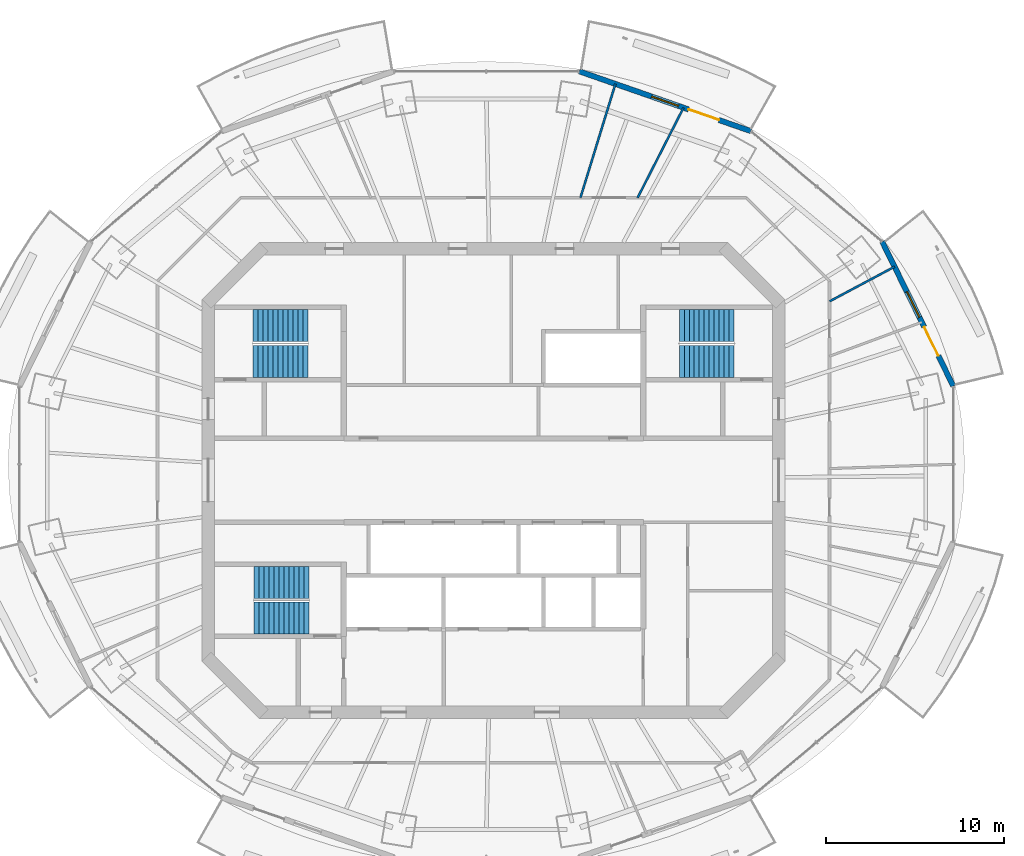
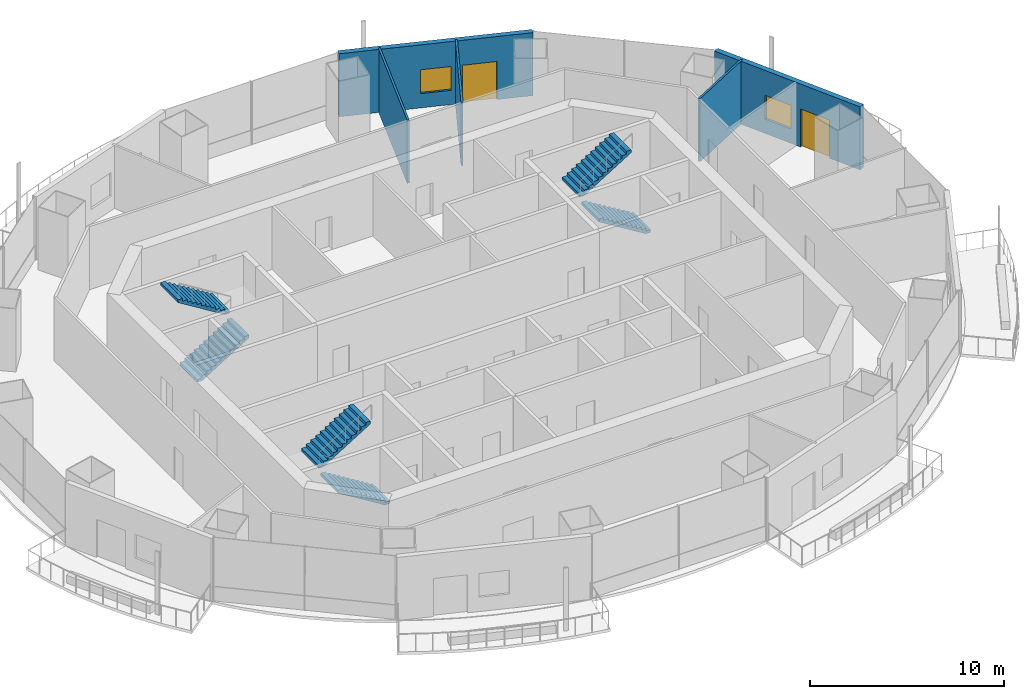
# One storey, part 11 of 16: 6 stair flights, 5 walls, 2 doors, 2 windows, 4 openings, 3 elements without a shape of their own.
"""IFC4 building model written with IfcOpenShell, lengths in metres."""

from ifc_helpers import new_model, si_unit, direction, frame, frame_2d, origin, place, context, subcontext, project, spatial, polyline, rectangle, outline, extrude, material, layer, layer_set, type_object, element, fill, aggregate, save


model = new_model("IFC4")

# Units and contexts
model_context = context("Model", 3, precision=1e-05, world=origin(), true_north=direction((0.0, 1.0)))
body_context = subcontext(model_context, "Body", "Model", "MODEL_VIEW")
ifc_project = project(units=[si_unit("LENGTHUNIT", "METRE"), si_unit("AREAUNIT", "SQUARE_METRE"), si_unit("VOLUMEUNIT", "CUBIC_METRE"), si_unit("PLANEANGLEUNIT", "RADIAN"), si_unit("MASSUNIT", "GRAM", prefix="KILO")], contexts=[model_context])

# Site, building, storey
site_placement = place(None, origin())
site = spatial("IfcSite", under=ifc_project, at=site_placement, CompositionType="ELEMENT")
building_placement = place(site_placement, origin())
building = spatial("IfcBuilding", under=site, at=building_placement, Name="Marenthal Gate Tower", CompositionType="ELEMENT")
storey_placement = place(building_placement, frame((0.0, 0.0, 346.75)))
storey = spatial("IfcBuildingStorey", under=building, at=storey_placement, Name="L78", CompositionType="ELEMENT", Elevation=346.75)

# Walls
ifc_material_1 = material(Name="Gypsum board on steel studs", Category="steel")
ifc_layer_1 = layer(ifc_material_1, 0.1201171875)
ifc_layer_set_1 = layer_set([ifc_layer_1], Name="Partition 120")
wall_type_1 = type_object("IfcWallType", Name="Partition 120", PredefinedType="PARTITIONING", material=ifc_layer_set_1)
wall_1_placement = place(storey_placement, frame((4.8740234375, 15.85009765625, 0.0), z_axis=(0.0, 0.0, 1.0), x_axis=(0.293957481335, 0.955818496979, 0.0)))
element("IfcWall", 1, at=wall_1_placement, inside=storey, type_object=wall_type_1, Name="Partition wall 59", PredefinedType="PARTITIONING", context=body_context, shape_type="SweptSolid", body=[
    extrude(rectangle(XDim=6.682373046875, YDim=0.1201171875, at=frame_2d((3.34130859375, 0.0))), origin(), (0.0, 0.0, 1.0), 3.969970703125),
])
wall_2_placement = place(storey_placement, frame((8.082763671875, 15.85009765625, 0.0), z_axis=(0.0, 0.0, 1.0), x_axis=(0.454290570005, 0.890853567094, 0.0)))
element("IfcWall", 2, at=wall_2_placement, inside=storey, type_object=wall_type_1, Name="Partition wall 61", PredefinedType="PARTITIONING", context=body_context, shape_type="SweptSolid", body=[
    extrude(rectangle(XDim=5.674072265625, YDim=0.1201171875, at=frame_2d((2.8369140625, 0.0))), origin(), (0.0, 0.0, 1.0), 3.969970703125),
])
wall_3_placement = place(storey_placement, frame((18.85009765625, 10.040283203125, 0.0), z_axis=(0.0, 0.0, 1.0), x_axis=(0.882609576654, 0.470106727454, 0.0)))
element("IfcWall", 3, at=wall_3_placement, inside=storey, type_object=wall_type_1, Name="Partition wall 70", PredefinedType="PARTITIONING", context=body_context, shape_type="SweptSolid", body=[
    extrude(rectangle(XDim=4.13232421875, YDim=0.1201171875, at=frame_2d((2.066162109375, 0.0))), origin(), (0.0, 0.0, 1.0), 3.969970703125),
])

# Wall, openings, door, window
ifc_material_2 = material(Name="Terracotta cladding on insulated concrete-block backing", Category="masonry")
ifc_layer_2 = layer(ifc_material_2, 0.300048828125)
ifc_layer_set_2 = layer_set([ifc_layer_2], Name="Terracotta facade wall 300")
wall_type_2 = type_object("IfcWallType", Name="Terracotta facade wall 300", PredefinedType="SOLIDWALL", material=ifc_layer_set_2)
wall_4_placement = place(storey_placement, frame((25.793701171875, 5.284912109375, 0.0), z_axis=(0.0, 0.0, 1.0), x_axis=(-0.441581239579, 0.897221270842, 0.0)))
wall_4 = element("IfcWall", 4, at=wall_4_placement, inside=storey, type_object=wall_type_2, Name="Terracotta facade wall L78 bay 1", PredefinedType="SOLIDWALL", context=body_context, shape_type="SweptSolid", body=[
    extrude(rectangle(XDim=9.0302734375, YDim=0.300048828125, at=frame_2d((4.51513671875, 0.0))), origin(), (0.0, 0.0, 1.0), 3.969970703125),
])
opening_1_placement = place(wall_4_placement, frame((1.89990234375, 0.0, 0.0)))
opening_1 = element("IfcOpeningElement", 5, at=opening_1_placement, cuts=wall_4, Name="Opening BD-L78-01", PredefinedType="OPENING", context=body_context, shape_type="SweptSolid", body=[
    extrude(rectangle(XDim=1.800048828125, YDim=2.39990234375, at=frame_2d((0.89990234375, 1.199951171875))), frame((0.0, 0.16015625, 0.0), z_axis=(0.0, -1.0, 0.0), x_axis=(1.0, 0.0, 0.0)), (0.0, 0.0, 1.0), 0.320068359375),
])
opening_2_placement = place(wall_4_placement, frame((4.300048828125, 0.0, 0.89990234375)))
opening_2 = element("IfcOpeningElement", 6, at=opening_2_placement, cuts=wall_4, Name="Opening WN3-L78-01", PredefinedType="OPENING", context=body_context, shape_type="SweptSolid", body=[
    extrude(rectangle(XDim=1.60009765625, YDim=1.5, at=frame_2d((0.800048828125, 0.75))), frame((0.0, 0.16015625, 0.0), z_axis=(0.0, -1.0, 0.0), x_axis=(1.0, 0.0, 0.0)), (0.0, 0.0, 1.0), 0.320068359375),
])
ifc_material_3 = material(Name="Aluminium and glass", Category="aluminium")
door_type = type_object("IfcDoorType", Name="Balcony door 1800x2400", OperationType="DOUBLE_DOOR_SINGLE_SWING", PredefinedType="DOOR", material=ifc_material_3)
door_1_placement = place(opening_1_placement, origin())
door_1 = element("IfcDoor", 7, at=door_1_placement, inside=storey, type_object=door_type, Name="Balcony door L78 bay 1", OperationType="SINGLE_SWING_LEFT", OverallHeight=2.39990234375, OverallWidth=1.800048828125, PredefinedType="DOOR", context=body_context, shape_type="SweptSolid", body=[
    extrude(rectangle(XDim=1.800048828125, YDim=2.39990234375, at=frame_2d((0.89990234375, 1.199951171875))), frame((0.0, 0.02490234375, 0.0), z_axis=(0.0, -1.0, 0.0), x_axis=(1.0, 0.0, 0.0)), (0.0, 0.0, 1.0), 0.050048828125),
])
fill(opening_1, door_1)
ifc_material_4 = material(Name="Aluminium and glass", Category="aluminium")
window_type = type_object("IfcWindowType", Name="Window 1600x1500", PartitioningType="DOUBLE_PANEL_VERTICAL", PredefinedType="WINDOW", material=ifc_material_4)
window_1_placement = place(opening_2_placement, origin())
window_1 = element("IfcWindow", 8, at=window_1_placement, inside=storey, type_object=window_type, Name="Window L78 bay 1", OverallHeight=1.5, OverallWidth=1.60009765625, PartitioningType="SINGLE_PANEL", PredefinedType="WINDOW", context=body_context, shape_type="SweptSolid", body=[
    extrude(rectangle(XDim=1.60009765625, YDim=1.5, at=frame_2d((0.800048828125, 0.75))), frame((0.0, 0.030029296875, 0.0), z_axis=(0.0, -1.0, 0.0), x_axis=(1.0, 0.0, 0.0)), (0.0, 0.0, 1.0), 0.06005859375),
])
fill(opening_2, window_1)

wall_5_placement = place(storey_placement, frame((14.4375, 19.588134765625, 0.0), z_axis=(0.0, 0.0, 1.0), x_axis=(-0.944272378507, 0.329165118428, 0.0)))
wall_5 = element("IfcWall", 9, at=wall_5_placement, inside=storey, type_object=wall_type_2, Name="Terracotta facade wall L78 bay 3", PredefinedType="SOLIDWALL", context=body_context, shape_type="SweptSolid", body=[
    extrude(rectangle(XDim=10.1953125, YDim=0.300048828125, at=frame_2d((5.09765625, 0.0))), origin(), (0.0, 0.0, 1.0), 3.969970703125),
])
opening_3_placement = place(wall_5_placement, frame((1.89990234375, 0.0, 0.0)))
opening_3 = element("IfcOpeningElement", 10, at=opening_3_placement, cuts=wall_5, Name="Opening BD-L78-03", PredefinedType="OPENING", context=body_context, shape_type="SweptSolid", body=[
    extrude(rectangle(XDim=1.800048828125, YDim=2.39990234375, at=frame_2d((0.89990234375, 1.199951171875))), frame((0.0, 0.16015625, 0.0), z_axis=(0.0, -1.0, 0.0), x_axis=(1.0, 0.0, 0.0)), (0.0, 0.0, 1.0), 0.320068359375),
])
opening_4_placement = place(wall_5_placement, frame((4.300048828125, 0.0, 0.89990234375)))
opening_4 = element("IfcOpeningElement", 11, at=opening_4_placement, cuts=wall_5, Name="Opening WN3-L78-03", PredefinedType="OPENING", context=body_context, shape_type="SweptSolid", body=[
    extrude(rectangle(XDim=1.60009765625, YDim=1.5, at=frame_2d((0.800048828125, 0.75))), frame((0.0, 0.16015625, 0.0), z_axis=(0.0, -1.0, 0.0), x_axis=(1.0, 0.0, 0.0)), (0.0, 0.0, 1.0), 0.320068359375),
])
door_2_placement = place(opening_3_placement, origin())
door_2 = element("IfcDoor", 12, at=door_2_placement, inside=storey, type_object=door_type, Name="Balcony door L78 bay 3", OperationType="SINGLE_SWING_LEFT", OverallHeight=2.39990234375, OverallWidth=1.800048828125, PredefinedType="DOOR", context=body_context, shape_type="SweptSolid", body=[
    extrude(rectangle(XDim=1.800048828125, YDim=2.39990234375, at=frame_2d((0.89990234375, 1.199951171875))), frame((0.0, 0.02490234375, 0.0), z_axis=(0.0, -1.0, 0.0), x_axis=(1.0, 0.0, 0.0)), (0.0, 0.0, 1.0), 0.050048828125),
])
fill(opening_3, door_2)
window_2_placement = place(opening_4_placement, origin())
window_2 = element("IfcWindow", 13, at=window_2_placement, inside=storey, type_object=window_type, Name="Window L78 bay 3", OverallHeight=1.5, OverallWidth=1.60009765625, PartitioningType="SINGLE_PANEL", PredefinedType="WINDOW", context=body_context, shape_type="SweptSolid", body=[
    extrude(rectangle(XDim=1.60009765625, YDim=1.5, at=frame_2d((0.800048828125, 0.75))), frame((0.0, 0.030029296875, 0.0), z_axis=(0.0, -1.0, 0.0), x_axis=(1.0, 0.0, 0.0)), (0.0, 0.0, 1.0), 0.06005859375),
])
fill(opening_4, window_2)

# Stair, stair flights
ifc_material_5 = material(Name="Concrete 40 MPa", Category="concrete")
stair_type = type_object("IfcStairType", Name="Exit stair 1800", PredefinedType="HALF_TURN_STAIR", material=ifc_material_5)
stair_1_placement = place(storey_placement, origin())
stair_1 = element("IfcStair", 14, at=stair_1_placement, inside=storey, type_object=stair_type, Name="Stair ST1", PredefinedType="HALF_TURN_STAIR")
ifc_material_6 = material(Name="Concrete 40 MPa", Category="concrete")
stair_flight_type = type_object("IfcStairFlightType", Name="Stair flight 1800", PredefinedType="STRAIGHT", material=ifc_material_6)
stair_flight_1_placement = place(storey_placement, frame((-13.5, 6.675048828125, 0.0), z_axis=(0.0, 0.0, 1.0), x_axis=(1.0, 0.0, 0.0)))
stair_flight_1 = element("IfcStairFlight", 15, at=stair_flight_1_placement, type_object=stair_flight_type, Name="ST1 flight 1", NumberOfRisers=12, NumberOfTreads=11, PredefinedType="STRAIGHT", RiserHeight=0.172916667, TreadLength=0.28, context=body_context, shape_type="SweptSolid", body=[
    extrude(outline(polyline([(0.0, 0.0), (0.0, 0.1728515625), (0.280029296875, 0.1728515625), (0.280029296875, 0.345947265625), (0.56005859375, 0.345947265625), (0.56005859375, 0.518798828125), (0.840087890625, 0.518798828125), (0.840087890625, 0.691650390625), (1.1201171875, 0.691650390625), (1.1201171875, 0.864501953125), (1.39990234375, 0.864501953125), (1.39990234375, 1.03759765625), (1.679931640625, 1.03759765625), (1.679931640625, 1.21044921875), (1.9599609375, 1.21044921875), (1.9599609375, 1.38330078125), (2.239990234375, 1.38330078125), (2.239990234375, 1.55615234375), (2.52001953125, 1.55615234375), (2.52001953125, 1.729248046875), (2.800048828125, 1.729248046875), (2.800048828125, 1.902099609375), (3.080078125, 1.902099609375), (3.080078125, 2.074951171875), (3.080078125, 1.725830078125), (0.285400390625, 0.0), (0.0, 0.0)])), frame((0.0, 0.89990234375, 0.0), z_axis=(0.0, -1.0, 0.0), x_axis=(1.0, 0.0, 0.0)), (0.0, 0.0, 1.0), 1.800048828125),
])
stair_flight_2_placement = place(storey_placement, frame((-10.419921875, 8.675048828125, 2.074951171875), z_axis=(0.0, 0.0, 1.0), x_axis=(-1.0, 0.0, 0.0)))
stair_flight_2 = element("IfcStairFlight", 16, at=stair_flight_2_placement, type_object=stair_flight_type, Name="ST1 flight 2", NumberOfRisers=12, NumberOfTreads=11, PredefinedType="STRAIGHT", RiserHeight=0.172916667, TreadLength=0.28, context=body_context, shape_type="SweptSolid", body=[
    extrude(outline(polyline([(0.0, 0.0), (0.0, 0.1728515625), (0.280029296875, 0.1728515625), (0.280029296875, 0.345947265625), (0.56005859375, 0.345947265625), (0.56005859375, 0.518798828125), (0.840087890625, 0.518798828125), (0.840087890625, 0.691650390625), (1.1201171875, 0.691650390625), (1.1201171875, 0.864501953125), (1.39990234375, 0.864501953125), (1.39990234375, 1.03759765625), (1.679931640625, 1.03759765625), (1.679931640625, 1.21044921875), (1.9599609375, 1.21044921875), (1.9599609375, 1.38330078125), (2.239990234375, 1.38330078125), (2.239990234375, 1.55615234375), (2.52001953125, 1.55615234375), (2.52001953125, 1.729248046875), (2.800048828125, 1.729248046875), (2.800048828125, 1.902099609375), (3.080078125, 1.902099609375), (3.080078125, 2.074951171875), (3.080078125, 1.725830078125), (0.285400390625, 0.0), (0.0, 0.0)])), frame((0.0, 0.89990234375, 0.0), z_axis=(0.0, -1.0, 0.0), x_axis=(1.0, 0.0, 0.0)), (0.0, 0.0, 1.0), 1.800048828125),
])
aggregate(stair_1, [stair_flight_1, stair_flight_2])

stair_2_placement = place(storey_placement, origin())
stair_2 = element("IfcStair", 17, at=stair_2_placement, inside=storey, type_object=stair_type, Name="Stair ST2", PredefinedType="HALF_TURN_STAIR")
stair_flight_3_placement = place(storey_placement, frame((-10.35009765625, -7.72509765625, 0.0), z_axis=(0.0, 0.0, 1.0), x_axis=(-1.0, 0.0, 0.0)))
stair_flight_3 = element("IfcStairFlight", 18, at=stair_flight_3_placement, type_object=stair_flight_type, Name="ST2 flight 1", NumberOfRisers=12, NumberOfTreads=11, PredefinedType="STRAIGHT", RiserHeight=0.172916667, TreadLength=0.28, context=body_context, shape_type="SweptSolid", body=[
    extrude(outline(polyline([(0.0, 0.0), (0.0, 0.1728515625), (0.280029296875, 0.1728515625), (0.280029296875, 0.345947265625), (0.56005859375, 0.345947265625), (0.56005859375, 0.518798828125), (0.840087890625, 0.518798828125), (0.840087890625, 0.691650390625), (1.1201171875, 0.691650390625), (1.1201171875, 0.864501953125), (1.39990234375, 0.864501953125), (1.39990234375, 1.03759765625), (1.679931640625, 1.03759765625), (1.679931640625, 1.21044921875), (1.9599609375, 1.21044921875), (1.9599609375, 1.38330078125), (2.239990234375, 1.38330078125), (2.239990234375, 1.55615234375), (2.52001953125, 1.55615234375), (2.52001953125, 1.729248046875), (2.800048828125, 1.729248046875), (2.800048828125, 1.902099609375), (3.080078125, 1.902099609375), (3.080078125, 2.074951171875), (3.080078125, 1.725830078125), (0.285400390625, 0.0), (0.0, 0.0)])), frame((0.0, 0.89990234375, 0.0), z_axis=(0.0, -1.0, 0.0), x_axis=(1.0, 0.0, 0.0)), (0.0, 0.0, 1.0), 1.800048828125),
])
stair_flight_4_placement = place(storey_placement, frame((-13.429931640625, -5.72509765625, 2.074951171875), z_axis=(0.0, 0.0, 1.0), x_axis=(1.0, 0.0, 0.0)))
stair_flight_4 = element("IfcStairFlight", 19, at=stair_flight_4_placement, type_object=stair_flight_type, Name="ST2 flight 2", NumberOfRisers=12, NumberOfTreads=11, PredefinedType="STRAIGHT", RiserHeight=0.172916667, TreadLength=0.28, context=body_context, shape_type="SweptSolid", body=[
    extrude(outline(polyline([(0.0, 0.0), (0.0, 0.1728515625), (0.280029296875, 0.1728515625), (0.280029296875, 0.345947265625), (0.56005859375, 0.345947265625), (0.56005859375, 0.518798828125), (0.840087890625, 0.518798828125), (0.840087890625, 0.691650390625), (1.1201171875, 0.691650390625), (1.1201171875, 0.864501953125), (1.39990234375, 0.864501953125), (1.39990234375, 1.03759765625), (1.679931640625, 1.03759765625), (1.679931640625, 1.21044921875), (1.9599609375, 1.21044921875), (1.9599609375, 1.38330078125), (2.239990234375, 1.38330078125), (2.239990234375, 1.55615234375), (2.52001953125, 1.55615234375), (2.52001953125, 1.729248046875), (2.800048828125, 1.729248046875), (2.800048828125, 1.902099609375), (3.080078125, 1.902099609375), (3.080078125, 2.074951171875), (3.080078125, 1.725830078125), (0.285400390625, 0.0), (0.0, 0.0)])), frame((0.0, 0.89990234375, 0.0), z_axis=(0.0, -1.0, 0.0), x_axis=(1.0, 0.0, 0.0)), (0.0, 0.0, 1.0), 1.800048828125),
])
aggregate(stair_2, [stair_flight_3, stair_flight_4])

stair_3_placement = place(storey_placement, origin())
stair_3 = element("IfcStair", 20, at=stair_3_placement, inside=storey, type_object=stair_type, Name="Stair ST3", PredefinedType="HALF_TURN_STAIR")
stair_flight_5_placement = place(storey_placement, frame((13.5, 6.675048828125, 0.0), z_axis=(0.0, 0.0, 1.0), x_axis=(-1.0, 0.0, 0.0)))
stair_flight_5 = element("IfcStairFlight", 21, at=stair_flight_5_placement, type_object=stair_flight_type, Name="ST3 flight 1", NumberOfRisers=12, NumberOfTreads=11, PredefinedType="STRAIGHT", RiserHeight=0.172916667, TreadLength=0.28, context=body_context, shape_type="SweptSolid", body=[
    extrude(outline(polyline([(0.0, 0.0), (0.0, 0.1728515625), (0.280029296875, 0.1728515625), (0.280029296875, 0.345947265625), (0.56005859375, 0.345947265625), (0.56005859375, 0.518798828125), (0.840087890625, 0.518798828125), (0.840087890625, 0.691650390625), (1.1201171875, 0.691650390625), (1.1201171875, 0.864501953125), (1.39990234375, 0.864501953125), (1.39990234375, 1.03759765625), (1.679931640625, 1.03759765625), (1.679931640625, 1.21044921875), (1.9599609375, 1.21044921875), (1.9599609375, 1.38330078125), (2.239990234375, 1.38330078125), (2.239990234375, 1.55615234375), (2.52001953125, 1.55615234375), (2.52001953125, 1.729248046875), (2.800048828125, 1.729248046875), (2.800048828125, 1.902099609375), (3.080078125, 1.902099609375), (3.080078125, 2.074951171875), (3.080078125, 1.725830078125), (0.285400390625, 0.0), (0.0, 0.0)])), frame((0.0, 0.89990234375, 0.0), z_axis=(0.0, -1.0, 0.0), x_axis=(1.0, 0.0, 0.0)), (0.0, 0.0, 1.0), 1.800048828125),
])
stair_flight_6_placement = place(storey_placement, frame((10.419921875, 8.675048828125, 2.074951171875), z_axis=(0.0, 0.0, 1.0), x_axis=(1.0, 0.0, 0.0)))
stair_flight_6 = element("IfcStairFlight", 22, at=stair_flight_6_placement, type_object=stair_flight_type, Name="ST3 flight 2", NumberOfRisers=12, NumberOfTreads=11, PredefinedType="STRAIGHT", RiserHeight=0.172916667, TreadLength=0.28, context=body_context, shape_type="SweptSolid", body=[
    extrude(outline(polyline([(0.0, 0.0), (0.0, 0.1728515625), (0.280029296875, 0.1728515625), (0.280029296875, 0.345947265625), (0.56005859375, 0.345947265625), (0.56005859375, 0.518798828125), (0.840087890625, 0.518798828125), (0.840087890625, 0.691650390625), (1.1201171875, 0.691650390625), (1.1201171875, 0.864501953125), (1.39990234375, 0.864501953125), (1.39990234375, 1.03759765625), (1.679931640625, 1.03759765625), (1.679931640625, 1.21044921875), (1.9599609375, 1.21044921875), (1.9599609375, 1.38330078125), (2.239990234375, 1.38330078125), (2.239990234375, 1.55615234375), (2.52001953125, 1.55615234375), (2.52001953125, 1.729248046875), (2.800048828125, 1.729248046875), (2.800048828125, 1.902099609375), (3.080078125, 1.902099609375), (3.080078125, 2.074951171875), (3.080078125, 1.725830078125), (0.285400390625, 0.0), (0.0, 0.0)])), frame((0.0, 0.89990234375, 0.0), z_axis=(0.0, -1.0, 0.0), x_axis=(1.0, 0.0, 0.0)), (0.0, 0.0, 1.0), 1.800048828125),
])
aggregate(stair_3, [stair_flight_5, stair_flight_6])

save(model, "model.ifc")
